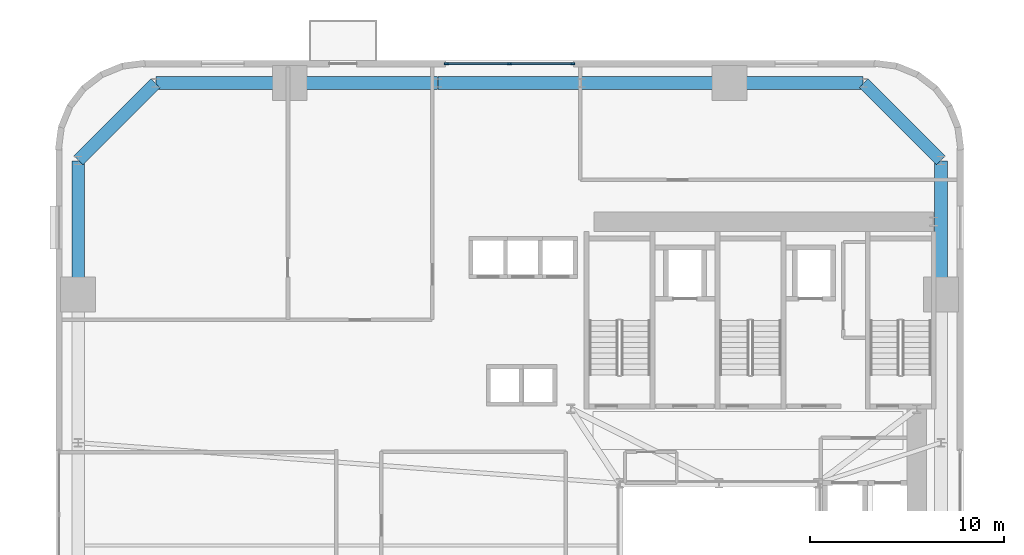
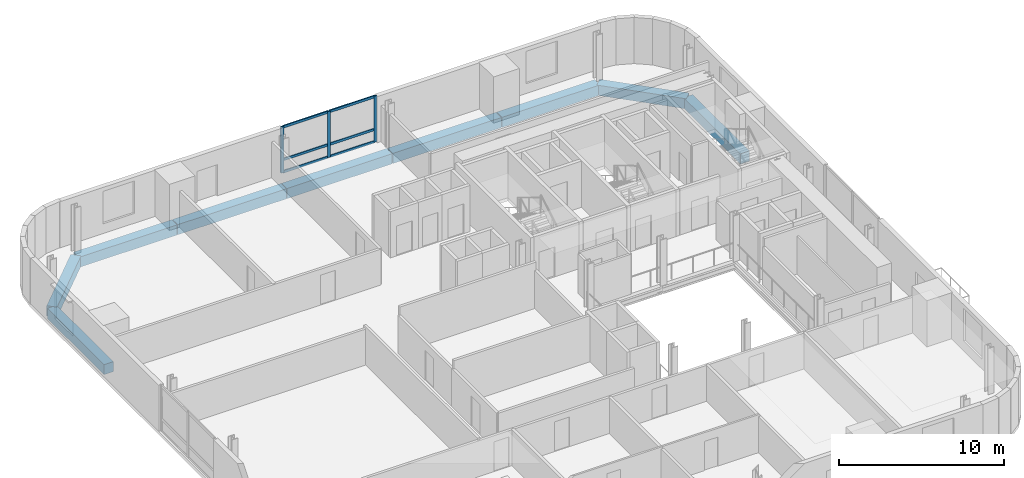
# One storey, part 4 of 13: 9 beams, 9 members, 1 element without a shape of its own.
"""IFC4 building model written with IfcOpenShell, lengths in metres."""

from ifc_helpers import new_model, si_unit, direction, frame, origin, origin_2d, place, context, subcontext, project, spatial, rectangle, extrude, source, transform, mapped, material, material_profile, profile_set, type_object, element, aggregate, save


model = new_model("IFC4")

# Units and contexts
model_context = context("Model", 3, precision=1e-05, world=origin(), true_north=direction((0.0, 1.0)))
body_context = subcontext(model_context, "Body", "Model", "MODEL_VIEW")
ifc_project = project(units=[si_unit("LENGTHUNIT", "METRE"), si_unit("AREAUNIT", "SQUARE_METRE"), si_unit("VOLUMEUNIT", "CUBIC_METRE"), si_unit("PLANEANGLEUNIT", "RADIAN"), si_unit("MASSUNIT", "GRAM", prefix="KILO")], contexts=[model_context])

# Site, building, storey
site_placement = place(None, origin())
site = spatial("IfcSite", under=ifc_project, at=site_placement, CompositionType="ELEMENT")
building_placement = place(site_placement, origin())
building = spatial("IfcBuilding", under=site, at=building_placement, Name="Vardaveli Station Tower", CompositionType="ELEMENT")
storey_placement = place(building_placement, frame((0.0, 0.0, 75.050048828125)))
storey = spatial("IfcBuildingStorey", under=building, at=storey_placement, Name="L19", CompositionType="ELEMENT", Elevation=75.050048828125)

# Beams
ifc_material_1 = material(Name="Precast concrete C45/55", Category="concrete")
ifc_material_profile_1 = material_profile(ifc_material_1, rectangle(XDim=0.64990234375, YDim=0.75, at=origin_2d()), Name="LPB 650x750")
ifc_profile_set_1 = profile_set([ifc_material_profile_1], Name="Precast concrete C45/55")
beam_type = type_object("IfcBeamType", Name="BM-LPB-750", PredefinedType="BEAM", material=ifc_profile_set_1)
shared_shape_1 = source(origin(), body_context, "Body", "SweptSolid", [
    extrude(rectangle(XDim=0.64990234375, YDim=0.75, at=origin_2d()), origin(), (0.0, 0.0, 1.0), 7.60009765625),
])
for number, where, z_axis, x_axis, name in (
    (1, (36.820068359375, 47.449951171875, -0.614990234375), (-1.0, 0.0, 0.0), (0.0, -1.0, 0.0), "RBM-L19-13"),
    (2, (21.780029296875, 47.449951171875, -0.614990234375), (-1.0, 0.0, 0.0), (0.0, -1.0, 0.0), "RBM-L19-15"),
):
    element("IfcBeam", number, at=place(storey_placement, frame(where, z_axis=z_axis, x_axis=x_axis)), inside=storey, type_object=beam_type, Name=name, PredefinedType="BEAM", context=body_context, shape_type="MappedRepresentation", body=[
        mapped(shared_shape_1, transform((0.0, 0.0, 0.0), scale=1.0)),
    ])
shared_shape_2 = source(origin(), body_context, "Body", "SweptSolid", [
    extrude(rectangle(XDim=0.64990234375, YDim=0.75, at=origin_2d()), origin(), (0.0, 0.0, 1.0), 7.35986328125),
])
beam_placement = place(storey_placement, frame((29.179931640625, 47.449951171875, -0.614990234375), z_axis=(-1.0, 0.0, 0.0), x_axis=(0.0, -1.0, 0.0)))
element("IfcBeam", 3, at=beam_placement, inside=storey, type_object=beam_type, Name="RBM-L19-14", PredefinedType="BEAM", context=body_context, shape_type="MappedRepresentation", body=[
    mapped(shared_shape_2, transform((0.0, 0.0, 0.0), scale=1.0)),
])
shared_shape_3 = source(origin(), body_context, "Body", "SweptSolid", [
    extrude(rectangle(XDim=0.64990234375, YDim=0.75, at=origin_2d()), origin(), (0.0, 0.0, 1.0), 6.869873046875),
])
for number, where, z_axis, x_axis, name in (
    (4, (47.75, 36.56005859375, -0.614990234375), (0.0, 1.0, 0.0), (-1.0, 0.0, 0.0), "RBM-L19-10"),
    (5, (43.72998046875, 47.449951171875, -0.614990234375), (-1.0, 0.0, 0.0), (0.0, -1.0, 0.0), "RBM-L19-12"),
    (6, (14.139892578125, 47.449951171875, -0.614990234375), (-1.0, 0.0, 0.0), (0.0, -1.0, 0.0), "RBM-L19-16"),
    (7, (3.25, 43.429931640625, -0.614990234375), (0.0, -1.0, 0.0), (1.0, 0.0, 0.0), "RBM-L19-18"),
):
    element("IfcBeam", number, at=place(storey_placement, frame(where, z_axis=z_axis, x_axis=x_axis)), inside=storey, type_object=beam_type, Name=name, PredefinedType="BEAM", context=body_context, shape_type="MappedRepresentation", body=[
        mapped(shared_shape_3, transform((0.0, 0.0, 0.0), scale=1.0)),
    ])
shared_shape_4 = source(origin(), body_context, "Body", "SweptSolid", [
    extrude(rectangle(XDim=0.64990234375, YDim=0.75, at=origin_2d()), origin(), (0.0, 0.0, 1.0), 5.61669921875),
])
for number, where, z_axis, x_axis, name in (
    (8, (47.73583984375, 43.464111328125, -0.614990234375), (-0.707106781187, 0.707106781187, 0.0), (-0.707106781187, -0.707106781187, 0.0), "RBM-L19-11"),
    (9, (7.23583984375, 47.435791015625, -0.614990234375), (-0.707106781187, -0.707106781187, 0.0), (0.707106781187, -0.707106781187, 0.0), "RBM-L19-17"),
):
    element("IfcBeam", number, at=place(storey_placement, frame(where, z_axis=z_axis, x_axis=x_axis)), inside=storey, type_object=beam_type, Name=name, PredefinedType="BEAM", context=body_context, shape_type="MappedRepresentation", body=[
        mapped(shared_shape_4, transform((0.0, 0.0, 0.0), scale=1.0)),
    ])

# Curtain wall, members
ifc_material_2 = material(Name="Travertine stone and solar-control glass", Category="masonry")
curtain_wall_type = type_object("IfcCurtainWallType", Name="CW-SYS-2", PredefinedType="NOTDEFINED", material=ifc_material_2)
curtain_wall_placement = place(storey_placement, origin())
curtain_wall = element("IfcCurtainWall", 10, at=curtain_wall_placement, inside=storey, type_object=curtain_wall_type, Name="CW-L19-N", PredefinedType="NOTDEFINED")
ifc_material_3 = material(Name="Anodised aluminium alloy 6063-T6", Category="aluminium")
ifc_material_profile_2 = material_profile(ifc_material_3, rectangle(XDim=0.0849609375, YDim=0.219970703125, at=origin_2d()), Name="CWM 85x220")
ifc_profile_set_2 = profile_set([ifc_material_profile_2], Name="Anodised aluminium alloy 6063-T6")
member_type_1 = type_object("IfcMemberType", Name="CW-SYS-2-MULL", PredefinedType="MULLION", material=ifc_profile_set_2)
shared_shape_5 = source(origin(), body_context, "Body", "SweptSolid", [
    extrude(rectangle(XDim=0.0849609375, YDim=0.219970703125, at=origin_2d()), origin(), (0.0, 0.0, 1.0), 3.409912109375),
])
member_1_placement = place(storey_placement, frame((28.757568359375, 48.43994140625, 0.0), z_axis=(0.0, 0.0, 1.0), x_axis=(0.0, -1.0, 0.0)))
member_1 = element("IfcMember", 11, at=member_1_placement, type_object=member_type_1, Name="CW-2 mullion 1", PredefinedType="MULLION", context=body_context, shape_type="MappedRepresentation", body=[
    mapped(shared_shape_5, transform((0.0, 0.0, 0.0), scale=1.0)),
])
member_2_placement = place(storey_placement, frame((25.5, 48.43994140625, 0.0), z_axis=(0.0, 0.0, 1.0), x_axis=(0.0, -1.0, 0.0)))
member_2 = element("IfcMember", 12, at=member_2_placement, type_object=member_type_1, Name="CW-2 mullion 2", PredefinedType="MULLION", context=body_context, shape_type="MappedRepresentation", body=[
    mapped(shared_shape_5, transform((0.0, 0.0, 0.0), scale=1.0)),
])
member_3_placement = place(storey_placement, frame((22.242431640625, 48.43994140625, 0.0), z_axis=(0.0, 0.0, 1.0), x_axis=(0.0, -1.0, 0.0)))
member_3 = element("IfcMember", 13, at=member_3_placement, type_object=member_type_1, Name="CW-2 mullion 3", PredefinedType="MULLION", context=body_context, shape_type="MappedRepresentation", body=[
    mapped(shared_shape_5, transform((0.0, 0.0, 0.0), scale=1.0)),
])
ifc_material_profile_3 = material_profile(ifc_material_3, rectangle(XDim=0.0849609375, YDim=0.179931640625, at=origin_2d()), Name="CWT 85x180")
ifc_profile_set_3 = profile_set([ifc_material_profile_3], Name="Anodised aluminium alloy 6063-T6")
member_type_2 = type_object("IfcMemberType", Name="CW-SYS-2-TRAN", PredefinedType="NOTDEFINED", material=ifc_profile_set_3)
shared_shape_6 = source(origin(), body_context, "Body", "SweptSolid", [
    extrude(rectangle(XDim=0.0849609375, YDim=0.179931640625, at=origin_2d()), origin(), (0.0, 0.0, 1.0), 3.172607421875),
])
member_4_placement = place(storey_placement, frame((28.715087890625, 48.43994140625, 0.04248046875), z_axis=(-1.0, 0.0, 0.0), x_axis=(0.0, -1.0, 0.0)))
member_4 = element("IfcMember", 14, at=member_4_placement, type_object=member_type_2, Name="CW-2 transom 1.1", ObjectType="TRANSOM", PredefinedType="USERDEFINED", context=body_context, shape_type="MappedRepresentation", body=[
    mapped(shared_shape_6, transform((0.0, 0.0, 0.0), scale=1.0)),
])
member_5_placement = place(storey_placement, frame((28.715087890625, 48.43994140625, 0.949951171875), z_axis=(-1.0, 0.0, 0.0), x_axis=(0.0, -1.0, 0.0)))
member_5 = element("IfcMember", 15, at=member_5_placement, type_object=member_type_2, Name="CW-2 transom 1.2", ObjectType="TRANSOM", PredefinedType="USERDEFINED", context=body_context, shape_type="MappedRepresentation", body=[
    mapped(shared_shape_6, transform((0.0, 0.0, 0.0), scale=1.0)),
])
member_6_placement = place(storey_placement, frame((28.715087890625, 48.43994140625, 3.367431640625), z_axis=(-1.0, 0.0, 0.0), x_axis=(0.0, -1.0, 0.0)))
member_6 = element("IfcMember", 16, at=member_6_placement, type_object=member_type_2, Name="CW-2 transom 1.3", ObjectType="TRANSOM", PredefinedType="USERDEFINED", context=body_context, shape_type="MappedRepresentation", body=[
    mapped(shared_shape_6, transform((0.0, 0.0, 0.0), scale=1.0)),
])
member_7_placement = place(storey_placement, frame((25.45751953125, 48.43994140625, 0.04248046875), z_axis=(-1.0, 0.0, 0.0), x_axis=(0.0, -1.0, 0.0)))
member_7 = element("IfcMember", 17, at=member_7_placement, type_object=member_type_2, Name="CW-2 transom 2.1", ObjectType="TRANSOM", PredefinedType="USERDEFINED", context=body_context, shape_type="MappedRepresentation", body=[
    mapped(shared_shape_6, transform((0.0, 0.0, 0.0), scale=1.0)),
])
member_8_placement = place(storey_placement, frame((25.45751953125, 48.43994140625, 0.949951171875), z_axis=(-1.0, 0.0, 0.0), x_axis=(0.0, -1.0, 0.0)))
member_8 = element("IfcMember", 18, at=member_8_placement, type_object=member_type_2, Name="CW-2 transom 2.2", ObjectType="TRANSOM", PredefinedType="USERDEFINED", context=body_context, shape_type="MappedRepresentation", body=[
    mapped(shared_shape_6, transform((0.0, 0.0, 0.0), scale=1.0)),
])
member_9_placement = place(storey_placement, frame((25.45751953125, 48.43994140625, 3.367431640625), z_axis=(-1.0, 0.0, 0.0), x_axis=(0.0, -1.0, 0.0)))
member_9 = element("IfcMember", 19, at=member_9_placement, type_object=member_type_2, Name="CW-2 transom 2.3", ObjectType="TRANSOM", PredefinedType="USERDEFINED", context=body_context, shape_type="MappedRepresentation", body=[
    mapped(shared_shape_6, transform((0.0, 0.0, 0.0), scale=1.0)),
])
aggregate(curtain_wall, [member_1, member_2, member_3, member_4, member_5, member_6, member_7, member_8, member_9])

save(model, "model.ifc")
